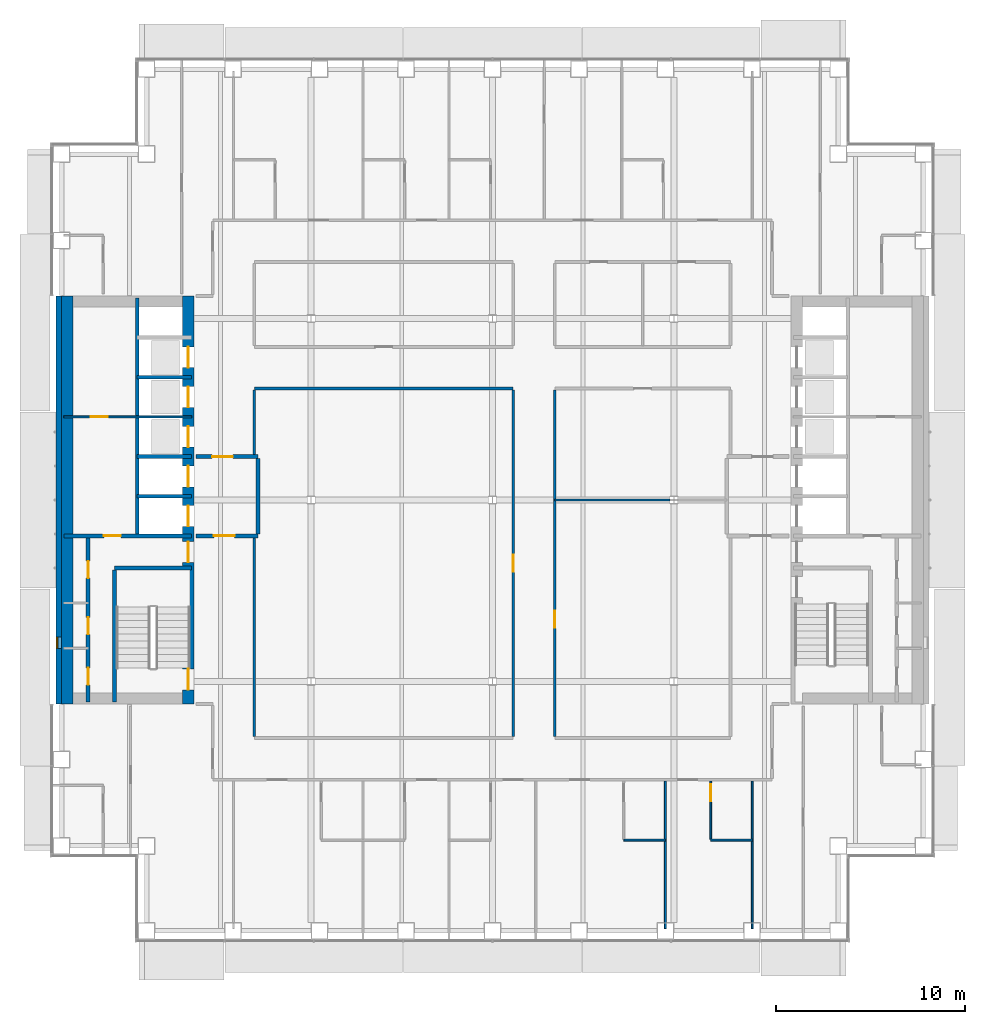
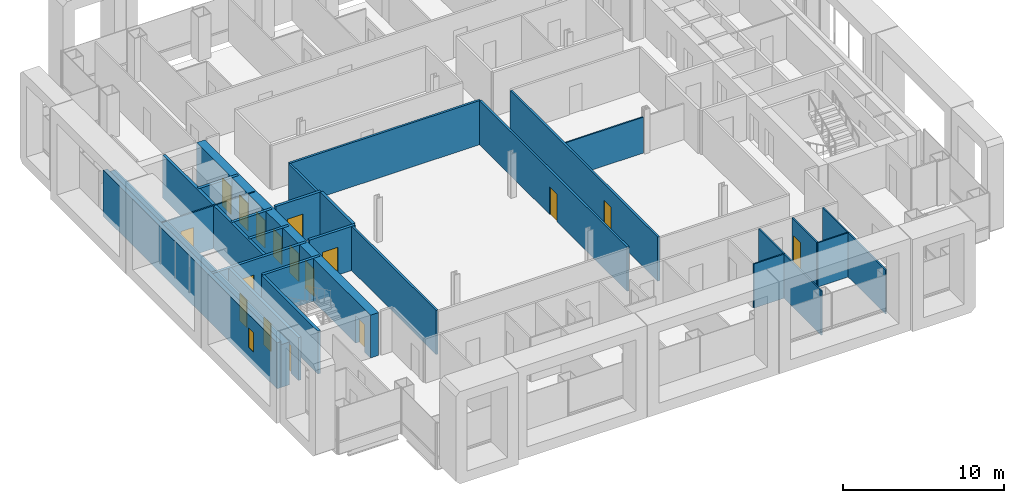
# One storey, part 11 of 20: 27 walls, 17 doors, 1 window, 18 openings.
"""IFC4 building model written with IfcOpenShell, lengths in metres."""

from ifc_helpers import new_model, si_unit, direction, frame, frame_2d, origin, place, context, subcontext, project, spatial, rectangle, extrude, material, layer, layer_set, type_object, element, fill, save


model = new_model("IFC4")

# Units and contexts
model_context = context("Model", 3, precision=1e-05, world=origin(), true_north=direction((0.0, 1.0)))
body_context = subcontext(model_context, "Body", "Model", "MODEL_VIEW")
ifc_project = project(units=[si_unit("LENGTHUNIT", "METRE"), si_unit("AREAUNIT", "SQUARE_METRE"), si_unit("VOLUMEUNIT", "CUBIC_METRE"), si_unit("PLANEANGLEUNIT", "RADIAN"), si_unit("MASSUNIT", "GRAM", prefix="KILO")], contexts=[model_context])

# Site, building, storey
site_placement = place(None, origin())
site = spatial("IfcSite", under=ifc_project, at=site_placement, CompositionType="ELEMENT")
building_placement = place(site_placement, origin())
building = spatial("IfcBuilding", under=site, at=building_placement, Name="Cobrizo Arcos Hotel Tower", CompositionType="ELEMENT")
storey_placement = place(building_placement, frame((0.0, 0.0, 96.0)))
storey = spatial("IfcBuildingStorey", under=building, at=storey_placement, Name="L23", CompositionType="ELEMENT", Elevation=96.0)

# Walls
ifc_material_1 = material(Name="Gypsum board partition")
ifc_layer_1 = layer(ifc_material_1, 0.14990234375)
ifc_layer_set_1 = layer_set([ifc_layer_1], Name="Corridor wall EI 60 150")
wall_type_1 = type_object("IfcWallType", Name="Corridor wall EI 60 150", PredefinedType="PARTITIONING", material=ifc_layer_set_1)
wall_1_placement = place(storey_placement, frame((-12.60009765625, 5.89990234375, 0.0), z_axis=(0.0, 0.0, 1.0), x_axis=(1.0, 0.0, 0.0)))
element("IfcWall", 1, at=wall_1_placement, inside=storey, type_object=wall_type_1, Name="Partition 033", PredefinedType="PARTITIONING", context=body_context, shape_type="SweptSolid", body=[
    extrude(rectangle(XDim=13.7001953125, YDim=0.14990234375, at=frame_2d((6.85009765625, 0.0))), origin(), (0.0, 0.0, 1.0), 3.35009765625),
])
wall_2_placement = place(storey_placement, frame((-12.60009765625, -12.52490234375, 0.0), z_axis=(0.0, 0.0, 1.0), x_axis=(0.0, 1.0, 0.0)))
element("IfcWall", 2, at=wall_2_placement, inside=storey, type_object=wall_type_1, Name="Partition 064", PredefinedType="PARTITIONING", context=body_context, shape_type="SweptSolid", body=[
    extrude(rectangle(XDim=10.52490234375, YDim=0.14990234375, at=frame_2d((5.262451171875, 0.0))), origin(), (0.0, 0.0, 1.0), 3.35009765625),
])
wall_3_placement = place(storey_placement, frame((-12.60009765625, 2.39990234375, 0.0), z_axis=(0.0, 0.0, 1.0), x_axis=(0.0, 1.0, 0.0)))
element("IfcWall", 3, at=wall_3_placement, inside=storey, type_object=wall_type_1, Name="Partition 065", PredefinedType="PARTITIONING", context=body_context, shape_type="SweptSolid", body=[
    extrude(rectangle(XDim=3.425048828125, YDim=0.14990234375, at=frame_2d((1.71240234375, 0.0))), origin(), (0.0, 0.0, 1.0), 3.35009765625),
])

# Wall, opening, door
wall_4_placement = place(storey_placement, frame((1.10009765625, -12.52490234375, 0.0), z_axis=(0.0, 0.0, 1.0), x_axis=(0.0, 1.0, 0.0)))
wall_4 = element("IfcWall", 4, at=wall_4_placement, inside=storey, type_object=wall_type_1, Name="Partition 079", PredefinedType="PARTITIONING", context=body_context, shape_type="SweptSolid", body=[
    extrude(rectangle(XDim=18.349853515625, YDim=0.14990234375, at=frame_2d((9.1748046875, 0.0))), origin(), (0.0, 0.0, 1.0), 3.35009765625),
])
opening_1_placement = place(wall_4_placement, frame((8.72509765625, 0.0, 0.0)))
opening_1 = element("IfcOpeningElement", 5, at=opening_1_placement, cuts=wall_4, Name="Opening RD-19", PredefinedType="OPENING", context=body_context, shape_type="SweptSolid", body=[
    extrude(rectangle(XDim=0.89990234375, YDim=2.10009765625, at=frame_2d((0.449951171875, 1.050048828125))), frame((0.0, 0.0869140625, 0.0), z_axis=(0.0, -1.0, 0.0), x_axis=(1.0, 0.0, 0.0)), (0.0, 0.0, 1.0), 0.173828125),
])
ifc_material_2 = material(Name="Timber door leaf", Category="wood")
door_type_1 = type_object("IfcDoorType", Name="Room door FD30 900x2100", OperationType="SINGLE_SWING_LEFT", PredefinedType="DOOR", material=ifc_material_2)
door_1_placement = place(opening_1_placement, origin())
door_1 = element("IfcDoor", 6, at=door_1_placement, inside=storey, type_object=door_type_1, Name="Door RD-19", OperationType="SINGLE_SWING_RIGHT", OverallHeight=2.10009765625, OverallWidth=0.89990234375, PredefinedType="DOOR", context=body_context, shape_type="SweptSolid", body=[
    extrude(rectangle(XDim=0.89990234375, YDim=2.10009765625, at=frame_2d((0.449951171875, 1.050048828125))), frame((0.0, 0.02490234375, 0.0), z_axis=(0.0, -1.0, 0.0), x_axis=(1.0, 0.0, 0.0)), (0.0, 0.0, 1.0), 0.050048828125),
])
fill(opening_1, door_1)

wall_5_placement = place(storey_placement, frame((3.300048828125, -12.52490234375, 0.0), z_axis=(0.0, 0.0, 1.0), x_axis=(0.0, 1.0, 0.0)))
wall_5 = element("IfcWall", 7, at=wall_5_placement, inside=storey, type_object=wall_type_1, Name="Partition 083", PredefinedType="PARTITIONING", context=body_context, shape_type="SweptSolid", body=[
    extrude(rectangle(XDim=18.349853515625, YDim=0.14990234375, at=frame_2d((9.1748046875, 0.0))), origin(), (0.0, 0.0, 1.0), 3.35009765625),
])
opening_2_placement = place(wall_5_placement, frame((5.77490234375, 0.0, 0.0)))
opening_2 = element("IfcOpeningElement", 8, at=opening_2_placement, cuts=wall_5, Name="Opening RD-18", PredefinedType="OPENING", context=body_context, shape_type="SweptSolid", body=[
    extrude(rectangle(XDim=0.89990234375, YDim=2.10009765625, at=frame_2d((0.449951171875, 1.050048828125))), frame((0.0, 0.0869140625, 0.0), z_axis=(0.0, -1.0, 0.0), x_axis=(1.0, 0.0, 0.0)), (0.0, 0.0, 1.0), 0.173828125),
])
door_2_placement = place(opening_2_placement, origin())
door_2 = element("IfcDoor", 9, at=door_2_placement, inside=storey, type_object=door_type_1, Name="Door RD-18", OperationType="SINGLE_SWING_LEFT", OverallHeight=2.10009765625, OverallWidth=0.89990234375, PredefinedType="DOOR", context=body_context, shape_type="SweptSolid", body=[
    extrude(rectangle(XDim=0.89990234375, YDim=2.10009765625, at=frame_2d((0.449951171875, 1.050048828125))), frame((0.0, 0.02490234375, 0.0), z_axis=(0.0, -1.0, 0.0), x_axis=(1.0, 0.0, 0.0)), (0.0, 0.0, 1.0), 0.050048828125),
])
fill(opening_2, door_2)

# Wall, opening, window
ifc_material_3 = material(Name="Aluminium composite panel pale metal", Category="aluminium")
ifc_layer_2 = layer(ifc_material_3, 0.300048828125)
ifc_layer_set_2 = layer_set([ifc_layer_2], Name="EW-1 insulated panel wall 300")
wall_type_2 = type_object("IfcWallType", Name="EW-1 insulated panel wall 300", PredefinedType="SOLIDWALL", material=ifc_layer_set_2)
wall_6_placement = place(storey_placement, frame((-22.949951171875, 10.800048828125, 0.0), z_axis=(0.0, 0.0, 1.0), x_axis=(0.0, -1.0, 0.0)))
wall_6 = element("IfcWall", 10, at=wall_6_placement, inside=storey, type_object=wall_type_2, Name="Core face wall L23 W", PredefinedType="SOLIDWALL", context=body_context, shape_type="SweptSolid", body=[
    extrude(rectangle(XDim=21.60009765625, YDim=0.300048828125, at=frame_2d((10.800048828125, 0.0))), origin(), (0.0, 0.0, 1.0), 3.5),
])
opening_3_placement = place(wall_6_placement, frame((18.050048828125, 0.0, 1.0)))
opening_3 = element("IfcOpeningElement", 11, at=opening_3_placement, cuts=wall_6, Name="Opening W-48", PredefinedType="OPENING", context=body_context, shape_type="SweptSolid", body=[
    extrude(rectangle(XDim=0.60009765625, YDim=1.5, at=frame_2d((0.300048828125, 0.75))), frame((0.0, 0.162109375, 0.0), z_axis=(0.0, -1.0, 0.0), x_axis=(1.0, 0.0, 0.0)), (0.0, 0.0, 1.0), 0.323974609375),
])
ifc_material_4 = material(Name="Aluminium 6063-T6 and clear laminated glass", Category="aluminium")
window_type = type_object("IfcWindowType", Name="W-C1 core stair slot window 600x1500", PartitioningType="SINGLE_PANEL", PredefinedType="WINDOW", material=ifc_material_4)
window_placement = place(opening_3_placement, origin())
window = element("IfcWindow", 12, at=window_placement, inside=storey, type_object=window_type, Name="Core face wall L23 W window W-48", OverallHeight=1.5, OverallWidth=0.60009765625, PartitioningType="SINGLE_PANEL", PredefinedType="WINDOW", context=body_context, shape_type="SweptSolid", body=[
    extrude(rectangle(XDim=0.60009765625, YDim=1.5, at=frame_2d((0.300048828125, 0.75))), frame((0.0, -0.06005859375, 0.0), z_axis=(0.0, -1.0, 0.0), x_axis=(1.0, 0.0, 0.0)), (0.0, 0.0, 1.0), 0.06005859375),
])
fill(opening_3, window)

# Walls
ifc_layer_3 = layer(ifc_material_1, 0.10009765625)
ifc_layer_set_3 = layer_set([ifc_layer_3], Name="Partition EI 30 100")
wall_type_3 = type_object("IfcWallType", Name="Partition EI 30 100", PredefinedType="PARTITIONING", material=ifc_layer_set_3)
for number, where, z_axis, x_axis, name in (
    (13, (6.949951171875, -18.0, 0.0), (0.0, 0.0, 1.0), (1.0, 0.0, 0.0), "Partition 003"),
    (14, (11.550048828125, -18.0, 0.0), (0.0, 0.0, 1.0), (1.0, 0.0, 0.0), "Partition 004"),
):
    element("IfcWall", number, at=place(storey_placement, frame(where, z_axis=z_axis, x_axis=x_axis)), inside=storey, type_object=wall_type_3, Name=name, PredefinedType="PARTITIONING", context=body_context, shape_type="SweptSolid", body=[
        extrude(rectangle(XDim=2.199951171875, YDim=0.10009765625, at=frame_2d((1.10009765625, 0.0))), origin(), (0.0, 0.0, 1.0), 3.35009765625),
    ])
wall_7_placement = place(storey_placement, frame((3.300048828125, 0.0, 0.0), z_axis=(0.0, 0.0, 1.0), x_axis=(1.0, 0.0, 0.0)))
element("IfcWall", 15, at=wall_7_placement, inside=storey, type_object=wall_type_3, Name="Partition 022", PredefinedType="PARTITIONING", context=body_context, shape_type="SweptSolid", body=[
    extrude(rectangle(XDim=6.100830078125, YDim=0.10009765625, at=frame_2d((3.05029296875, 0.0))), origin(), (0.0, 0.0, 1.0), 2.72802734375),
])

# Wall, opening, door
wall_8_placement = place(storey_placement, frame((-22.679931640625, 4.39990234375, 0.0), z_axis=(0.0, 0.0, 1.0), x_axis=(1.0, 0.0, 0.0)))
wall_8 = element("IfcWall", 16, at=wall_8_placement, inside=storey, type_object=wall_type_3, Name="Partition 031", PredefinedType="PARTITIONING", context=body_context, shape_type="SweptSolid", body=[
    extrude(rectangle(XDim=6.760009765625, YDim=0.10009765625, at=frame_2d((3.3798828125, 0.0))), origin(), (0.0, 0.0, 1.0), 3.25),
])
opening_4_placement = place(wall_8_placement, frame((1.429931640625, 0.0, 0.0)))
opening_4 = element("IfcOpeningElement", 17, at=opening_4_placement, cuts=wall_8, Name="Opening RD-05", PredefinedType="OPENING", context=body_context, shape_type="SweptSolid", body=[
    extrude(rectangle(XDim=0.89990234375, YDim=2.10009765625, at=frame_2d((0.449951171875, 1.050048828125))), frame((0.0, 0.06201171875, 0.0), z_axis=(0.0, -1.0, 0.0), x_axis=(1.0, 0.0, 0.0)), (0.0, 0.0, 1.0), 0.1240234375),
])
door_3_placement = place(opening_4_placement, origin())
door_3 = element("IfcDoor", 18, at=door_3_placement, inside=storey, type_object=door_type_1, Name="Door RD-05", OperationType="SINGLE_SWING_RIGHT", OverallHeight=2.10009765625, OverallWidth=0.89990234375, PredefinedType="DOOR", context=body_context, shape_type="SweptSolid", body=[
    extrude(rectangle(XDim=0.89990234375, YDim=2.10009765625, at=frame_2d((0.449951171875, 1.050048828125))), frame((0.0, 0.02490234375, 0.0), z_axis=(0.0, -1.0, 0.0), x_axis=(1.0, 0.0, 0.0)), (0.0, 0.0, 1.0), 0.050048828125),
])
fill(opening_4, door_3)

# Wall
wall_9_placement = place(storey_placement, frame((9.14990234375, -22.679931640625, 0.0), z_axis=(0.0, 0.0, 1.0), x_axis=(0.0, 1.0, 0.0)))
element("IfcWall", 19, at=wall_9_placement, inside=storey, type_object=wall_type_3, Name="Partition 089", PredefinedType="PARTITIONING", context=body_context, shape_type="SweptSolid", body=[
    extrude(rectangle(XDim=7.804931640625, YDim=0.10009765625, at=frame_2d((3.90234375, 0.0))), origin(), (0.0, 0.0, 1.0), 3.35009765625),
])

# Wall, opening, door
wall_10_placement = place(storey_placement, frame((11.550048828125, -17.949951171875, 0.0), z_axis=(0.0, 0.0, 1.0), x_axis=(0.0, 1.0, 0.0)))
wall_10 = element("IfcWall", 20, at=wall_10_placement, inside=storey, type_object=wall_type_3, Name="Partition 090", PredefinedType="PARTITIONING", context=body_context, shape_type="SweptSolid", body=[
    extrude(rectangle(XDim=3.074951171875, YDim=0.10009765625, at=frame_2d((1.53759765625, 0.0))), origin(), (0.0, 0.0, 1.0), 3.35009765625),
])
opening_5_placement = place(wall_10_placement, frame((1.99609375, 0.0, 0.0)))
opening_5 = element("IfcOpeningElement", 21, at=opening_5_placement, cuts=wall_10, Name="Opening ED-09", PredefinedType="OPENING", context=body_context, shape_type="SweptSolid", body=[
    extrude(rectangle(XDim=0.89990234375, YDim=2.10009765625, at=frame_2d((0.449951171875, 1.050048828125))), frame((0.0, 0.06201171875, 0.0), z_axis=(0.0, -1.0, 0.0), x_axis=(1.0, 0.0, 0.0)), (0.0, 0.0, 1.0), 0.1240234375),
])
door_type_2 = type_object("IfcDoorType", Name="En-suite door 900x2100", OperationType="SINGLE_SWING_LEFT", PredefinedType="DOOR", material=ifc_material_2)
door_4_placement = place(opening_5_placement, origin())
door_4 = element("IfcDoor", 22, at=door_4_placement, inside=storey, type_object=door_type_2, Name="Door ED-09", OperationType="SINGLE_SWING_RIGHT", OverallHeight=2.10009765625, OverallWidth=0.89990234375, PredefinedType="DOOR", context=body_context, shape_type="SweptSolid", body=[
    extrude(rectangle(XDim=0.89990234375, YDim=2.10009765625, at=frame_2d((0.449951171875, 1.050048828125))), frame((0.0, 0.02490234375, 0.0), z_axis=(0.0, -1.0, 0.0), x_axis=(1.0, 0.0, 0.0)), (0.0, 0.0, 1.0), 0.050048828125),
])
fill(opening_5, door_4)

# Wall
wall_11_placement = place(storey_placement, frame((13.75, -22.679931640625, 0.0), z_axis=(0.0, 0.0, 1.0), x_axis=(0.0, 1.0, 0.0)))
element("IfcWall", 23, at=wall_11_placement, inside=storey, type_object=wall_type_3, Name="Partition 095", PredefinedType="PARTITIONING", context=body_context, shape_type="SweptSolid", body=[
    extrude(rectangle(XDim=7.804931640625, YDim=0.10009765625, at=frame_2d((3.90234375, 0.0))), origin(), (0.0, 0.0, 1.0), 3.35009765625),
])

# Wall, openings, doors
ifc_material_5 = material(Name="Concrete f'c 50 MPa", Category="concrete")
ifc_layer_4 = layer(ifc_material_5, 0.60009765625)
ifc_layer_set_4 = layer_set([ifc_layer_4], Name="RC core wall 600 f'c 50")
wall_type_4 = type_object("IfcWallType", Name="RC core wall 600 f'c 50", PredefinedType="SHEAR", material=ifc_layer_set_4)
wall_12_placement = place(storey_placement, frame((-16.10009765625, -10.800048828125, 0.0), z_axis=(0.0, 0.0, 1.0), x_axis=(0.0, 1.0, 0.0)))
wall_12 = element("IfcWall", 24, at=wall_12_placement, inside=storey, type_object=wall_type_4, Name="Core wall CW2, west core, inner face, L23", PredefinedType="SHEAR", context=body_context, shape_type="SweptSolid", body=[
    extrude(rectangle(XDim=21.60009765625, YDim=0.60009765625, at=frame_2d((10.800048828125, 0.0))), origin(), (0.0, 0.0, 1.0), 3.25),
])
opening_6_placement = place(wall_12_placement, frame((9.39990234375, 0.0, 0.0)))
opening_6 = element("IfcOpeningElement", 25, at=opening_6_placement, cuts=wall_12, Name="Opening LD-01", PredefinedType="OPENING", context=body_context, shape_type="SweptSolid", body=[
    extrude(rectangle(XDim=1.10009765625, YDim=2.10009765625, at=frame_2d((0.550048828125, 1.050048828125))), frame((0.0, 0.31201171875, 0.0), z_axis=(0.0, -1.0, 0.0), x_axis=(1.0, 0.0, 0.0)), (0.0, 0.0, 1.0), 0.6240234375),
])
opening_7_placement = place(wall_12_placement, frame((11.5, 0.0, 0.0)))
opening_7 = element("IfcOpeningElement", 26, at=opening_7_placement, cuts=wall_12, Name="Opening LD-02", PredefinedType="OPENING", context=body_context, shape_type="SweptSolid", body=[
    extrude(rectangle(XDim=1.10009765625, YDim=2.10009765625, at=frame_2d((0.550048828125, 1.050048828125))), frame((0.0, 0.31201171875, 0.0), z_axis=(0.0, -1.0, 0.0), x_axis=(1.0, 0.0, 0.0)), (0.0, 0.0, 1.0), 0.6240234375),
])
opening_8_placement = place(wall_12_placement, frame((13.60009765625, 0.0, 0.0)))
opening_8 = element("IfcOpeningElement", 27, at=opening_8_placement, cuts=wall_12, Name="Opening LD-03", PredefinedType="OPENING", context=body_context, shape_type="SweptSolid", body=[
    extrude(rectangle(XDim=1.10009765625, YDim=2.10009765625, at=frame_2d((0.550048828125, 1.050048828125))), frame((0.0, 0.31201171875, 0.0), z_axis=(0.0, -1.0, 0.0), x_axis=(1.0, 0.0, 0.0)), (0.0, 0.0, 1.0), 0.6240234375),
])
opening_9_placement = place(wall_12_placement, frame((15.699951171875, 0.0, 0.0)))
opening_9 = element("IfcOpeningElement", 28, at=opening_9_placement, cuts=wall_12, Name="Opening LD-04", PredefinedType="OPENING", context=body_context, shape_type="SweptSolid", body=[
    extrude(rectangle(XDim=1.10009765625, YDim=2.10009765625, at=frame_2d((0.550048828125, 1.050048828125))), frame((0.0, 0.31201171875, 0.0), z_axis=(0.0, -1.0, 0.0), x_axis=(1.0, 0.0, 0.0)), (0.0, 0.0, 1.0), 0.6240234375),
])
opening_10_placement = place(wall_12_placement, frame((17.800048828125, 0.0, 0.0)))
opening_10 = element("IfcOpeningElement", 29, at=opening_10_placement, cuts=wall_12, Name="Opening LD-05", PredefinedType="OPENING", context=body_context, shape_type="SweptSolid", body=[
    extrude(rectangle(XDim=1.10009765625, YDim=2.10009765625, at=frame_2d((0.550048828125, 1.050048828125))), frame((0.0, 0.31201171875, 0.0), z_axis=(0.0, -1.0, 0.0), x_axis=(1.0, 0.0, 0.0)), (0.0, 0.0, 1.0), 0.6240234375),
])
opening_11_placement = place(wall_12_placement, frame((0.758056640625, 0.0, 0.0)))
opening_11 = element("IfcOpeningElement", 30, at=opening_11_placement, cuts=wall_12, Name="Opening SD-01", PredefinedType="OPENING", context=body_context, shape_type="SweptSolid", body=[
    extrude(rectangle(XDim=1.10009765625, YDim=2.10009765625, at=frame_2d((0.550048828125, 1.050048828125))), frame((0.0, 0.31201171875, 0.0), z_axis=(0.0, -1.0, 0.0), x_axis=(1.0, 0.0, 0.0)), (0.0, 0.0, 1.0), 0.6240234375),
])
opening_12_placement = place(wall_12_placement, frame((7.5, 0.0, 0.0)))
opening_12 = element("IfcOpeningElement", 31, at=opening_12_placement, cuts=wall_12, Name="Opening FD-01", PredefinedType="OPENING", context=body_context, shape_type="SweptSolid", body=[
    extrude(rectangle(XDim=1.10009765625, YDim=2.10009765625, at=frame_2d((0.550048828125, 1.050048828125))), frame((0.0, 0.31201171875, 0.0), z_axis=(0.0, -1.0, 0.0), x_axis=(1.0, 0.0, 0.0)), (0.0, 0.0, 1.0), 0.6240234375),
])
ifc_material_6 = material(Name="Steel door leaf", Category="steel")
door_type_3 = type_object("IfcDoorType", Name="Fire door FD60 1100x2100", OperationType="SINGLE_SWING_LEFT", PredefinedType="DOOR", material=ifc_material_6)
door_5_placement = place(opening_12_placement, origin())
door_5 = element("IfcDoor", 32, at=door_5_placement, inside=storey, type_object=door_type_3, Name="Door FD-01", OperationType="SINGLE_SWING_LEFT", OverallHeight=2.10009765625, OverallWidth=1.10009765625, PredefinedType="DOOR", context=body_context, shape_type="SweptSolid", body=[
    extrude(rectangle(XDim=1.10009765625, YDim=2.10009765625, at=frame_2d((0.550048828125, 1.050048828125))), frame((0.0, 0.02490234375, 0.0), z_axis=(0.0, -1.0, 0.0), x_axis=(1.0, 0.0, 0.0)), (0.0, 0.0, 1.0), 0.050048828125),
])
fill(opening_12, door_5)
door_type_4 = type_object("IfcDoorType", Name="Lift landing door 1100x2100", OperationType="SLIDING_TO_LEFT", PredefinedType="DOOR", material=ifc_material_6)
door_6_placement = place(opening_6_placement, origin())
door_6 = element("IfcDoor", 33, at=door_6_placement, inside=storey, type_object=door_type_4, Name="Lift landing door LD-01", OperationType="SLIDING_TO_LEFT", OverallHeight=2.10009765625, OverallWidth=1.10009765625, PredefinedType="DOOR", context=body_context, shape_type="SweptSolid", body=[
    extrude(rectangle(XDim=1.10009765625, YDim=2.10009765625, at=frame_2d((0.550048828125, 1.050048828125))), frame((0.0, 0.02490234375, 0.0), z_axis=(0.0, -1.0, 0.0), x_axis=(1.0, 0.0, 0.0)), (0.0, 0.0, 1.0), 0.050048828125),
])
fill(opening_6, door_6)
door_7_placement = place(opening_7_placement, origin())
door_7 = element("IfcDoor", 34, at=door_7_placement, inside=storey, type_object=door_type_4, Name="Lift landing door LD-02", OperationType="SLIDING_TO_LEFT", OverallHeight=2.10009765625, OverallWidth=1.10009765625, PredefinedType="DOOR", context=body_context, shape_type="SweptSolid", body=[
    extrude(rectangle(XDim=1.10009765625, YDim=2.10009765625, at=frame_2d((0.550048828125, 1.050048828125))), frame((0.0, 0.02490234375, 0.0), z_axis=(0.0, -1.0, 0.0), x_axis=(1.0, 0.0, 0.0)), (0.0, 0.0, 1.0), 0.050048828125),
])
fill(opening_7, door_7)
door_8_placement = place(opening_8_placement, origin())
door_8 = element("IfcDoor", 35, at=door_8_placement, inside=storey, type_object=door_type_4, Name="Lift landing door LD-03", OperationType="SLIDING_TO_LEFT", OverallHeight=2.10009765625, OverallWidth=1.10009765625, PredefinedType="DOOR", context=body_context, shape_type="SweptSolid", body=[
    extrude(rectangle(XDim=1.10009765625, YDim=2.10009765625, at=frame_2d((0.550048828125, 1.050048828125))), frame((0.0, 0.02490234375, 0.0), z_axis=(0.0, -1.0, 0.0), x_axis=(1.0, 0.0, 0.0)), (0.0, 0.0, 1.0), 0.050048828125),
])
fill(opening_8, door_8)
door_9_placement = place(opening_9_placement, origin())
door_9 = element("IfcDoor", 36, at=door_9_placement, inside=storey, type_object=door_type_4, Name="Lift landing door LD-04", OperationType="SLIDING_TO_LEFT", OverallHeight=2.10009765625, OverallWidth=1.10009765625, PredefinedType="DOOR", context=body_context, shape_type="SweptSolid", body=[
    extrude(rectangle(XDim=1.10009765625, YDim=2.10009765625, at=frame_2d((0.550048828125, 1.050048828125))), frame((0.0, 0.02490234375, 0.0), z_axis=(0.0, -1.0, 0.0), x_axis=(1.0, 0.0, 0.0)), (0.0, 0.0, 1.0), 0.050048828125),
])
fill(opening_9, door_9)
door_10_placement = place(opening_10_placement, origin())
door_10 = element("IfcDoor", 37, at=door_10_placement, inside=storey, type_object=door_type_4, Name="Lift landing door LD-05", OperationType="SLIDING_TO_LEFT", OverallHeight=2.10009765625, OverallWidth=1.10009765625, PredefinedType="DOOR", context=body_context, shape_type="SweptSolid", body=[
    extrude(rectangle(XDim=1.10009765625, YDim=2.10009765625, at=frame_2d((0.550048828125, 1.050048828125))), frame((0.0, 0.02490234375, 0.0), z_axis=(0.0, -1.0, 0.0), x_axis=(1.0, 0.0, 0.0)), (0.0, 0.0, 1.0), 0.050048828125),
])
fill(opening_10, door_10)
door_type_5 = type_object("IfcDoorType", Name="Stair door FD60S 1100x2100", OperationType="SINGLE_SWING_LEFT", PredefinedType="DOOR", material=ifc_material_6)
door_11_placement = place(opening_11_placement, origin())
door_11 = element("IfcDoor", 38, at=door_11_placement, inside=storey, type_object=door_type_5, Name="Door SD-01", OperationType="SINGLE_SWING_RIGHT", OverallHeight=2.10009765625, OverallWidth=1.10009765625, PredefinedType="DOOR", context=body_context, shape_type="SweptSolid", body=[
    extrude(rectangle(XDim=1.10009765625, YDim=2.10009765625, at=frame_2d((0.550048828125, 1.050048828125))), frame((0.0, 0.02490234375, 0.0), z_axis=(0.0, -1.0, 0.0), x_axis=(1.0, 0.0, 0.0)), (0.0, 0.0, 1.0), 0.050048828125),
])
fill(opening_11, door_11)

# Wall
wall_13_placement = place(storey_placement, frame((-22.5, -10.800048828125, 0.0), z_axis=(0.0, 0.0, 1.0), x_axis=(0.0, 1.0, 0.0)))
element("IfcWall", 39, at=wall_13_placement, inside=storey, type_object=wall_type_4, Name="Core wall CW2, west core, outer face, L23", PredefinedType="SHEAR", context=body_context, shape_type="SweptSolid", body=[
    extrude(rectangle(XDim=21.60009765625, YDim=0.60009765625, at=frame_2d((10.800048828125, 0.0))), origin(), (0.0, 0.0, 1.0), 3.25),
])

# Wall, opening, door
ifc_layer_5 = layer(ifc_material_1, 0.199951171875)
ifc_layer_set_5 = layer_set([ifc_layer_5], Name="Shaft wall EI 120 200")
wall_type_5 = type_object("IfcWallType", Name="Shaft wall EI 120 200", PredefinedType="PARTITIONING", material=ifc_layer_set_5)
wall_14_placement = place(storey_placement, frame((-22.679931640625, -1.89990234375, 0.0), z_axis=(0.0, 0.0, 1.0), x_axis=(1.0, 0.0, 0.0)))
wall_14 = element("IfcWall", 40, at=wall_14_placement, inside=storey, type_object=wall_type_5, Name="Partition 018", PredefinedType="PARTITIONING", context=body_context, shape_type="SweptSolid", body=[
    extrude(rectangle(XDim=6.760009765625, YDim=0.199951171875, at=frame_2d((3.3798828125, 0.0))), origin(), (0.0, 0.0, 1.0), 3.25),
])
opening_13_placement = place(wall_14_placement, frame((2.1201171875, 0.0, 0.0)))
opening_13 = element("IfcOpeningElement", 41, at=opening_13_placement, cuts=wall_14, Name="Opening RD-04", PredefinedType="OPENING", context=body_context, shape_type="SweptSolid", body=[
    extrude(rectangle(XDim=0.89990234375, YDim=2.10009765625, at=frame_2d((0.449951171875, 1.050048828125))), frame((0.0, 0.112060546875, 0.0), z_axis=(0.0, -1.0, 0.0), x_axis=(1.0, 0.0, 0.0)), (0.0, 0.0, 1.0), 0.223876953125),
])
door_12_placement = place(opening_13_placement, origin())
door_12 = element("IfcDoor", 42, at=door_12_placement, inside=storey, type_object=door_type_1, Name="Door RD-04", OperationType="SINGLE_SWING_LEFT", OverallHeight=2.10009765625, OverallWidth=0.89990234375, PredefinedType="DOOR", context=body_context, shape_type="SweptSolid", body=[
    extrude(rectangle(XDim=0.89990234375, YDim=2.10009765625, at=frame_2d((0.449951171875, 1.050048828125))), frame((0.0, 0.02490234375, 0.0), z_axis=(0.0, -1.0, 0.0), x_axis=(1.0, 0.0, 0.0)), (0.0, 0.0, 1.0), 0.050048828125),
])
fill(opening_13, door_12)

wall_15_placement = place(storey_placement, frame((-15.679931640625, -1.89990234375, 0.0), z_axis=(0.0, 0.0, 1.0), x_axis=(1.0, 0.0, 0.0)))
wall_15 = element("IfcWall", 43, at=wall_15_placement, inside=storey, type_object=wall_type_5, Name="Partition 019", PredefinedType="PARTITIONING", context=body_context, shape_type="SweptSolid", body=[
    extrude(rectangle(XDim=3.280029296875, YDim=0.199951171875, at=frame_2d((1.64013671875, 0.0))), origin(), (0.0, 0.0, 1.0), 3.35009765625),
])
opening_14_placement = place(wall_15_placement, frame((0.93994140625, 0.0, 0.0)))
opening_14 = element("IfcOpeningElement", 44, at=opening_14_placement, cuts=wall_15, Name="Opening FD-02", PredefinedType="OPENING", context=body_context, shape_type="SweptSolid", body=[
    extrude(rectangle(XDim=1.10009765625, YDim=2.10009765625, at=frame_2d((0.550048828125, 1.050048828125))), frame((0.0, 0.112060546875, 0.0), z_axis=(0.0, -1.0, 0.0), x_axis=(1.0, 0.0, 0.0)), (0.0, 0.0, 1.0), 0.223876953125),
])
door_13_placement = place(opening_14_placement, origin())
door_13 = element("IfcDoor", 45, at=door_13_placement, inside=storey, type_object=door_type_3, Name="Door FD-02", OperationType="SINGLE_SWING_LEFT", OverallHeight=2.10009765625, OverallWidth=1.10009765625, PredefinedType="DOOR", context=body_context, shape_type="SweptSolid", body=[
    extrude(rectangle(XDim=1.10009765625, YDim=2.10009765625, at=frame_2d((0.550048828125, 1.050048828125))), frame((0.0, 0.02490234375, 0.0), z_axis=(0.0, -1.0, 0.0), x_axis=(1.0, 0.0, 0.0)), (0.0, 0.0, 1.0), 0.050048828125),
])
fill(opening_14, door_13)

# Walls
for number, where, z_axis, x_axis, name in (
    (46, (-18.800048828125, 0.199951171875, 0.0), (0.0, 0.0, 1.0), (1.0, 0.0, 0.0), "Partition 025"),
    (47, (-18.800048828125, 2.300048828125, 0.0), (0.0, 0.0, 1.0), (1.0, 0.0, 0.0), "Partition 027"),
):
    element("IfcWall", number, at=place(storey_placement, frame(where, z_axis=z_axis, x_axis=x_axis)), inside=storey, type_object=wall_type_5, Name=name, PredefinedType="PARTITIONING", context=body_context, shape_type="SweptSolid", body=[
        extrude(rectangle(XDim=2.880126953125, YDim=0.199951171875, at=frame_2d((1.43994140625, 0.0))), origin(), (0.0, 0.0, 1.0), 3.25),
    ])

# Wall, opening, door
wall_16_placement = place(storey_placement, frame((-15.679931640625, 2.300048828125, 0.0), z_axis=(0.0, 0.0, 1.0), x_axis=(1.0, 0.0, 0.0)))
wall_16 = element("IfcWall", 48, at=wall_16_placement, inside=storey, type_object=wall_type_5, Name="Partition 028", PredefinedType="PARTITIONING", context=body_context, shape_type="SweptSolid", body=[
    extrude(rectangle(XDim=3.280029296875, YDim=0.199951171875, at=frame_2d((1.64013671875, 0.0))), origin(), (0.0, 0.0, 1.0), 3.35009765625),
])
opening_15_placement = place(wall_16_placement, frame((0.840087890625, 0.0, 0.0)))
opening_15 = element("IfcOpeningElement", 49, at=opening_15_placement, cuts=wall_16, Name="Opening FD-03", PredefinedType="OPENING", context=body_context, shape_type="SweptSolid", body=[
    extrude(rectangle(XDim=1.10009765625, YDim=2.10009765625, at=frame_2d((0.550048828125, 1.050048828125))), frame((0.0, 0.112060546875, 0.0), z_axis=(0.0, -1.0, 0.0), x_axis=(1.0, 0.0, 0.0)), (0.0, 0.0, 1.0), 0.223876953125),
])
door_14_placement = place(opening_15_placement, origin())
door_14 = element("IfcDoor", 50, at=door_14_placement, inside=storey, type_object=door_type_3, Name="Door FD-03", OperationType="SINGLE_SWING_LEFT", OverallHeight=2.10009765625, OverallWidth=1.10009765625, PredefinedType="DOOR", context=body_context, shape_type="SweptSolid", body=[
    extrude(rectangle(XDim=1.10009765625, YDim=2.10009765625, at=frame_2d((0.550048828125, 1.050048828125))), frame((0.0, 0.02490234375, 0.0), z_axis=(0.0, -1.0, 0.0), x_axis=(1.0, 0.0, 0.0)), (0.0, 0.0, 1.0), 0.050048828125),
])
fill(opening_15, door_14)

# Wall
wall_17_placement = place(storey_placement, frame((-18.800048828125, 6.5, 0.0), z_axis=(0.0, 0.0, 1.0), x_axis=(1.0, 0.0, 0.0)))
element("IfcWall", 51, at=wall_17_placement, inside=storey, type_object=wall_type_5, Name="Partition 035", PredefinedType="PARTITIONING", context=body_context, shape_type="SweptSolid", body=[
    extrude(rectangle(XDim=2.880126953125, YDim=0.199951171875, at=frame_2d((1.43994140625, 0.0))), origin(), (0.0, 0.0, 1.0), 3.25),
])

# Wall, openings, doors
wall_18_placement = place(storey_placement, frame((-21.39990234375, -10.679931640625, 0.0), z_axis=(0.0, 0.0, 1.0), x_axis=(0.0, 1.0, 0.0)))
wall_18 = element("IfcWall", 52, at=wall_18_placement, inside=storey, type_object=wall_type_5, Name="Partition 052", PredefinedType="PARTITIONING", context=body_context, shape_type="SweptSolid", body=[
    extrude(rectangle(XDim=8.679931640625, YDim=0.199951171875, at=frame_2d((4.33984375, 0.0))), origin(), (0.0, 0.0, 1.0), 3.25),
])
opening_16_placement = place(wall_18_placement, frame((0.89892578125, 0.0, 0.0)))
opening_16 = element("IfcOpeningElement", 53, at=opening_16_placement, cuts=wall_18, Name="Opening RD-01", PredefinedType="OPENING", context=body_context, shape_type="SweptSolid", body=[
    extrude(rectangle(XDim=0.89990234375, YDim=2.10009765625, at=frame_2d((0.449951171875, 1.050048828125))), frame((0.0, 0.112060546875, 0.0), z_axis=(0.0, -1.0, 0.0), x_axis=(1.0, 0.0, 0.0)), (0.0, 0.0, 1.0), 0.223876953125),
])
opening_17_placement = place(wall_18_placement, frame((3.569091796875, 0.0, 0.0)))
opening_17 = element("IfcOpeningElement", 54, at=opening_17_placement, cuts=wall_18, Name="Opening RD-02", PredefinedType="OPENING", context=body_context, shape_type="SweptSolid", body=[
    extrude(rectangle(XDim=0.89990234375, YDim=2.10009765625, at=frame_2d((0.449951171875, 1.050048828125))), frame((0.0, 0.112060546875, 0.0), z_axis=(0.0, -1.0, 0.0), x_axis=(1.0, 0.0, 0.0)), (0.0, 0.0, 1.0), 0.223876953125),
])
opening_18_placement = place(wall_18_placement, frame((6.550048828125, 0.0, 0.0)))
opening_18 = element("IfcOpeningElement", 55, at=opening_18_placement, cuts=wall_18, Name="Opening RD-03", PredefinedType="OPENING", context=body_context, shape_type="SweptSolid", body=[
    extrude(rectangle(XDim=0.89990234375, YDim=2.10009765625, at=frame_2d((0.449951171875, 1.050048828125))), frame((0.0, 0.112060546875, 0.0), z_axis=(0.0, -1.0, 0.0), x_axis=(1.0, 0.0, 0.0)), (0.0, 0.0, 1.0), 0.223876953125),
])
door_15_placement = place(opening_16_placement, origin())
door_15 = element("IfcDoor", 56, at=door_15_placement, inside=storey, type_object=door_type_1, Name="Door RD-01", OperationType="SINGLE_SWING_LEFT", OverallHeight=2.10009765625, OverallWidth=0.89990234375, PredefinedType="DOOR", context=body_context, shape_type="SweptSolid", body=[
    extrude(rectangle(XDim=0.89990234375, YDim=2.10009765625, at=frame_2d((0.449951171875, 1.050048828125))), frame((0.0, 0.02490234375, 0.0), z_axis=(0.0, -1.0, 0.0), x_axis=(1.0, 0.0, 0.0)), (0.0, 0.0, 1.0), 0.050048828125),
])
fill(opening_16, door_15)
door_16_placement = place(opening_17_placement, origin())
door_16 = element("IfcDoor", 57, at=door_16_placement, inside=storey, type_object=door_type_1, Name="Door RD-02", OperationType="SINGLE_SWING_RIGHT", OverallHeight=2.10009765625, OverallWidth=0.89990234375, PredefinedType="DOOR", context=body_context, shape_type="SweptSolid", body=[
    extrude(rectangle(XDim=0.89990234375, YDim=2.10009765625, at=frame_2d((0.449951171875, 1.050048828125))), frame((0.0, 0.02490234375, 0.0), z_axis=(0.0, -1.0, 0.0), x_axis=(1.0, 0.0, 0.0)), (0.0, 0.0, 1.0), 0.050048828125),
])
fill(opening_17, door_16)
door_17_placement = place(opening_18_placement, origin())
door_17 = element("IfcDoor", 58, at=door_17_placement, inside=storey, type_object=door_type_1, Name="Door RD-03", OperationType="SINGLE_SWING_RIGHT", OverallHeight=2.10009765625, OverallWidth=0.89990234375, PredefinedType="DOOR", context=body_context, shape_type="SweptSolid", body=[
    extrude(rectangle(XDim=0.89990234375, YDim=2.10009765625, at=frame_2d((0.449951171875, 1.050048828125))), frame((0.0, 0.02490234375, 0.0), z_axis=(0.0, -1.0, 0.0), x_axis=(1.0, 0.0, 0.0)), (0.0, 0.0, 1.0), 0.050048828125),
])
fill(opening_18, door_17)

# Walls
wall_19_placement = place(storey_placement, frame((-18.800048828125, -1.800048828125, 0.0), z_axis=(0.0, 0.0, 1.0), x_axis=(0.0, 1.0, 0.0)))
element("IfcWall", 59, at=wall_19_placement, inside=storey, type_object=wall_type_5, Name="Partition 057", PredefinedType="PARTITIONING", context=body_context, shape_type="SweptSolid", body=[
    extrude(rectangle(XDim=6.150146484375, YDim=0.199951171875, at=frame_2d((3.0751953125, 0.0))), origin(), (0.0, 0.0, 1.0), 3.25),
])
wall_20_placement = place(storey_placement, frame((-18.800048828125, 4.449951171875, 0.0), z_axis=(0.0, 0.0, 1.0), x_axis=(0.0, 1.0, 0.0)))
element("IfcWall", 60, at=wall_20_placement, inside=storey, type_object=wall_type_5, Name="Partition 058", PredefinedType="PARTITIONING", context=body_context, shape_type="SweptSolid", body=[
    extrude(rectangle(XDim=6.22998046875, YDim=0.199951171875, at=frame_2d((3.114990234375, 0.0))), origin(), (0.0, 0.0, 1.0), 3.25),
])
wall_21_placement = place(storey_placement, frame((-12.39990234375, -1.800048828125, 0.0), z_axis=(0.0, 0.0, 1.0), x_axis=(0.0, 1.0, 0.0)))
element("IfcWall", 61, at=wall_21_placement, inside=storey, type_object=wall_type_5, Name="Partition 067", PredefinedType="PARTITIONING", context=body_context, shape_type="SweptSolid", body=[
    extrude(rectangle(XDim=4.0, YDim=0.199951171875, at=frame_2d((2.0, 0.0))), origin(), (0.0, 0.0, 1.0), 3.35009765625),
])
ifc_material_7 = material(Name="Concrete f'c 40 MPa", Category="concrete")
ifc_layer_6 = layer(ifc_material_7, 0.199951171875)
ifc_layer_set_6 = layer_set([ifc_layer_6], Name="Stair shaft wall 200")
wall_type_6 = type_object("IfcWallType", Name="Stair shaft wall 200", PredefinedType="SHEAR", material=ifc_layer_set_6)
wall_22_placement = place(storey_placement, frame((-20.0, -3.60009765625, 0.0), z_axis=(0.0, 0.0, 1.0), x_axis=(1.0, 0.0, 0.0)))
element("IfcWall", 62, at=wall_22_placement, inside=storey, type_object=wall_type_6, Name="Stair shaft wall W", PredefinedType="SHEAR", context=body_context, shape_type="SweptSolid", body=[
    extrude(rectangle(XDim=4.080078125, YDim=0.199951171875, at=frame_2d((2.0400390625, 0.0))), origin(), (0.0, 0.0, 1.0), 3.25),
])
wall_23_placement = place(storey_placement, frame((-20.0, -10.679931640625, 0.0), z_axis=(0.0, 0.0, 1.0), x_axis=(0.0, 1.0, 0.0)))
element("IfcWall", 63, at=wall_23_placement, inside=storey, type_object=wall_type_6, Name="Stair shaft wall W", PredefinedType="SHEAR", context=body_context, shape_type="SweptSolid", body=[
    extrude(rectangle(XDim=6.97998046875, YDim=0.199951171875, at=frame_2d((3.489990234375, 0.0))), origin(), (0.0, 0.0, 1.0), 3.25),
])

save(model, "model.ifc")
